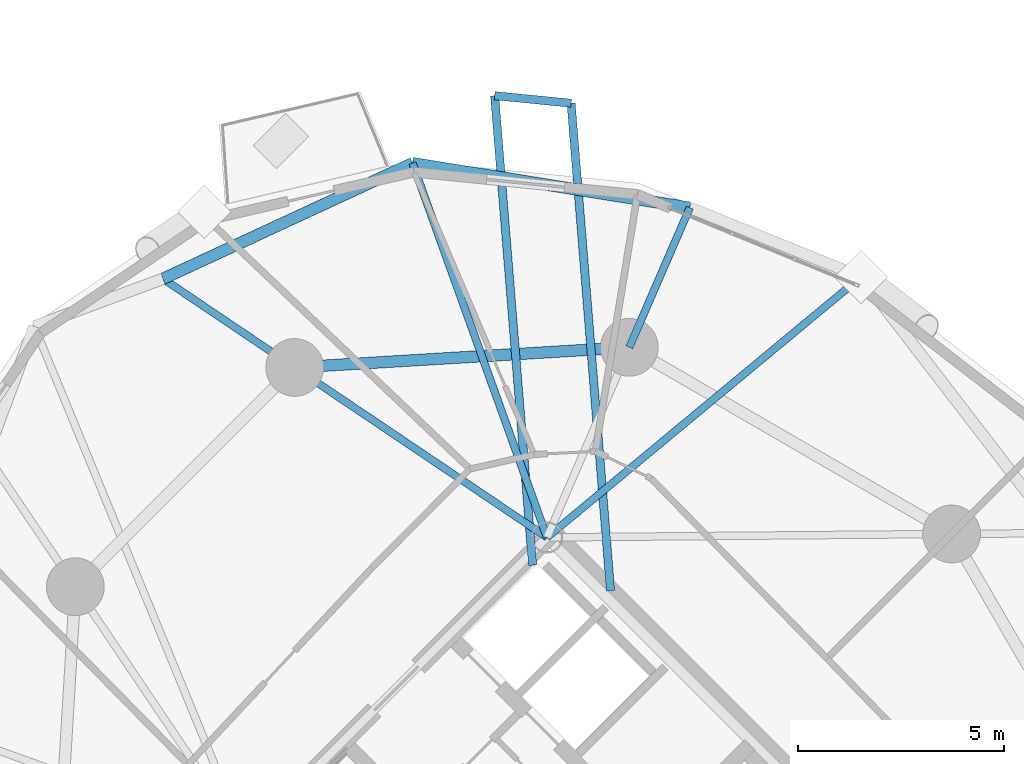
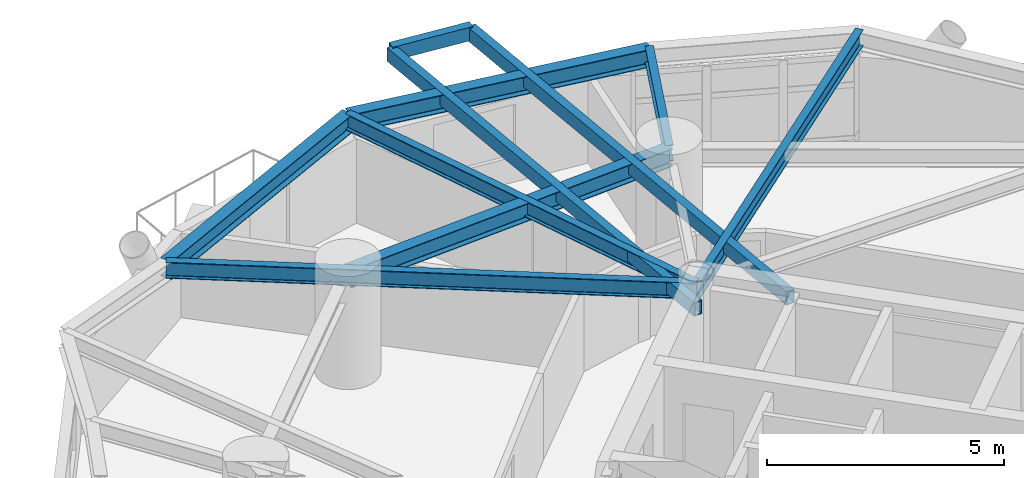
# One storey, part 6 of 19: 10 beams.
"""IFC4 building model written with IfcOpenShell, lengths in metres."""

from ifc_helpers import new_model, si_unit, direction, frame, origin, origin_2d, place, context, subcontext, project, spatial, hollow_rectangle, i_section, extrude, material, material_profile, profile_set, type_object, element, save


model = new_model("IFC4")

# Units and contexts
model_context = context("Model", 3, precision=1e-05, world=origin(), true_north=direction((0.0, 1.0)))
body_context = subcontext(model_context, "Body", "Model", "MODEL_VIEW")
ifc_project = project(units=[si_unit("LENGTHUNIT", "METRE"), si_unit("AREAUNIT", "SQUARE_METRE"), si_unit("VOLUMEUNIT", "CUBIC_METRE"), si_unit("PLANEANGLEUNIT", "RADIAN"), si_unit("MASSUNIT", "GRAM", prefix="KILO")], contexts=[model_context])

# Site, building, storey
site_placement = place(None, origin())
site = spatial("IfcSite", under=ifc_project, at=site_placement, CompositionType="ELEMENT")
building_placement = place(site_placement, origin())
building = spatial("IfcBuilding", under=site, at=building_placement, Name="Cununo Teusaquillo Station Towers", CompositionType="ELEMENT")
storey_placement = place(building_placement, frame((0.0, 0.0, 84.699951171875)))
storey = spatial("IfcBuildingStorey", under=building, at=storey_placement, Name="L26", CompositionType="ELEMENT", Elevation=84.699951171875)

# Beams
ifc_material_1 = material(Name="Steel EN 10025-2 S355J2", Category="steel")
ifc_material_profile_1 = material_profile(ifc_material_1, hollow_rectangle(XDim=0.199951171875, YDim=0.35009765625, WallThickness=0.013916015625, at=origin_2d()), Name="RHS 350x200x14")
ifc_profile_set_1 = profile_set([ifc_material_profile_1], Name="Steel EN 10025-2 S355J2")
beam_type_1 = type_object("IfcBeamType", Name="BM-BAL-CANT", PredefinedType="BEAM", material=ifc_profile_set_1)
beam_1_placement = place(storey_placement, frame((57.835205078125, 31.73095703125, 2.4951171875), z_axis=(-0.080635166538, 0.996743683159, 0.0), x_axis=(-0.996743683159, -0.080635166538, 0.0)))
element("IfcBeam", 1, at=beam_1_placement, inside=storey, type_object=beam_type_1, Name="L26 Tower B Balcony Cantilever Bracket 1A", PredefinedType="BEAM", context=body_context, shape_type="SweptSolid", body=[
    extrude(hollow_rectangle(XDim=0.199951171875, YDim=0.35009765625, WallThickness=0.013916015625, at=origin_2d()), origin(), (0.0, 0.0, 1.0), 11.862548828125),
])
beam_2_placement = place(storey_placement, frame((55.945068359375, 32.349609375, 2.4951171875), z_axis=(-0.080615645749, 0.996745262171, 0.0), x_axis=(-0.996745262171, -0.080615645749, 0.0)))
element("IfcBeam", 2, at=beam_2_placement, inside=storey, type_object=beam_type_1, Name="L26 Tower B Balcony Cantilever Bracket 1B", PredefinedType="BEAM", context=body_context, shape_type="SweptSolid", body=[
    extrude(hollow_rectangle(XDim=0.199951171875, YDim=0.35009765625, WallThickness=0.013916015625, at=origin_2d()), origin(), (0.0, 0.0, 1.0), 11.42626953125),
])
ifc_material_2 = material(Name="Steel ASTM A572 Grade 50", Category="steel")
ifc_material_profile_2 = material_profile(ifc_material_2, i_section(OverallWidth=0.180908203125, OverallDepth=0.4169921875, WebThickness=0.010986328125, FlangeThickness=0.018310546875, FilletRadius=0.012939453125, at=origin_2d()), Name="W16X57")
ifc_profile_set_2 = profile_set([ifc_material_profile_2], Name="Steel ASTM A572 Grade 50")
beam_type_2 = type_object("IfcBeamType", Name="BM-JOIST-1", PredefinedType="JOIST", material=ifc_profile_set_2)
beam_3_placement = place(storey_placement, frame((56.29443359375, 33.024169921875, 2.461669921875), z_axis=(0.769727799615, 0.638372238196, 0.0), x_axis=(-0.638372238196, 0.769727799615, 0.0)))
element("IfcBeam", 3, at=beam_3_placement, inside=storey, type_object=beam_type_2, Name="L26 Tower B Radial Spandrel Joist V01", PredefinedType="JOIST", context=body_context, shape_type="SweptSolid", body=[
    extrude(i_section(OverallWidth=0.180908203125, OverallDepth=0.4169921875, WebThickness=0.010986328125, FlangeThickness=0.018310546875, FilletRadius=0.012939453125, at=origin_2d()), origin(), (0.0, 0.0, 1.0), 9.895263671875),
])
beam_4_placement = place(storey_placement, frame((56.29443359375, 33.024169921875, 2.461669921875), z_axis=(-0.338176312038, 0.941082771055, 0.0), x_axis=(-0.941082771055, -0.338176312038, 0.0)))
element("IfcBeam", 4, at=beam_4_placement, inside=storey, type_object=beam_type_2, Name="L26 Tower B Radial Spandrel Joist V03", PredefinedType="JOIST", context=body_context, shape_type="SweptSolid", body=[
    extrude(i_section(OverallWidth=0.180908203125, OverallDepth=0.4169921875, WebThickness=0.010986328125, FlangeThickness=0.018310546875, FilletRadius=0.012939453125, at=origin_2d()), origin(), (0.0, 0.0, 1.0), 9.646484375),
])
ifc_material_3 = material(Name="Steel ASTM A572 Grade 50", Category="steel")
ifc_material_profile_3 = material_profile(ifc_material_3, i_section(OverallWidth=0.180908203125, OverallDepth=0.4169921875, WebThickness=0.010986328125, FlangeThickness=0.018310546875, FilletRadius=0.012939453125, at=origin_2d()), Name="W16X57")
ifc_profile_set_3 = profile_set([ifc_material_profile_3], Name="Steel ASTM A572 Grade 50")
beam_type_3 = type_object("IfcBeamType", Name="BM-RAD-G2", PredefinedType="BEAM", material=ifc_profile_set_3)
beam_5_placement = place(storey_placement, frame((58.291015625, 37.63525390625, 2.461669921875), z_axis=(0.397421761279, 0.917636062751, 0.0), x_axis=(-0.917636062751, 0.397421761279, 0.0)))
element("IfcBeam", 5, at=beam_5_placement, inside=storey, type_object=beam_type_3, Name="L26 Tower B Perimeter Overhang Girder 02B", PredefinedType="BEAM", context=body_context, shape_type="SweptSolid", body=[
    extrude(i_section(OverallWidth=0.180908203125, OverallDepth=0.4169921875, WebThickness=0.010986328125, FlangeThickness=0.018310546875, FilletRadius=0.012939453125, at=origin_2d()), origin(), (0.0, 0.0, 1.0), 3.690185546875),
])
beam_6_placement = place(storey_placement, frame((56.29443359375, 33.024169921875, 2.461669921875), z_axis=(-0.82945583878, 0.558572297481, 0.0), x_axis=(-0.558572297481, -0.82945583878, 0.0)))
element("IfcBeam", 6, at=beam_6_placement, inside=storey, type_object=beam_type_3, Name="L26 Tower B Continuous Overhanging Radial Girder 03", PredefinedType="BEAM", context=body_context, shape_type="SweptSolid", body=[
    extrude(i_section(OverallWidth=0.180908203125, OverallDepth=0.4169921875, WebThickness=0.010986328125, FlangeThickness=0.018310546875, FilletRadius=0.012939453125, at=origin_2d()), origin(), (0.0, 0.0, 1.0), 11.22998046875),
])
ifc_material_4 = material(Name="Steel ASTM A572 Grade 50", Category="steel")
ifc_material_profile_4 = material_profile(ifc_material_4, i_section(OverallWidth=0.280029296875, OverallDepth=0.462890625, WebThickness=0.0107421875, FlangeThickness=0.017333984375, FilletRadius=0.013916015625, at=origin_2d()), Name="W18X76")
ifc_profile_set_4 = profile_set([ifc_material_profile_4], Name="Steel ASTM A572 Grade 50")
beam_type_4 = type_object("IfcBeamType", Name="BM-RING-Z2", PredefinedType="SPANDREL", material=ifc_profile_set_4)
beam_7_placement = place(storey_placement, frame((58.291015625, 37.63525390625, 2.4384765625), z_axis=(-0.998190567048, -0.06012979176, 0.0), x_axis=(0.06012979176, -0.998190567048, 0.0)))
element("IfcBeam", 7, at=beam_7_placement, inside=storey, type_object=beam_type_4, Name="L26 Tower B Structural Column Ring Girder 02", PredefinedType="SPANDREL", context=body_context, shape_type="SweptSolid", body=[
    extrude(i_section(OverallWidth=0.280029296875, OverallDepth=0.462890625, WebThickness=0.0107421875, FlangeThickness=0.017333984375, FilletRadius=0.013916015625, at=origin_2d()), origin(), (0.0, 0.0, 1.0), 8.132568359375),
])
beam_8_placement = place(storey_placement, frame((59.757568359375, 41.021484375, 2.4384765625), z_axis=(-0.987331474246, 0.158671232312, 0.0), x_axis=(-0.158671232312, -0.987331474246, 0.0)))
element("IfcBeam", 8, at=beam_8_placement, inside=storey, type_object=beam_type_4, Name="L26 Tower B Spandrel Ring Beam 03", PredefinedType="SPANDREL", context=body_context, shape_type="SweptSolid", body=[
    extrude(i_section(OverallWidth=0.280029296875, OverallDepth=0.462890625, WebThickness=0.0107421875, FlangeThickness=0.017333984375, FilletRadius=0.013916015625, at=origin_2d()), origin(), (0.0, 0.0, 1.0), 6.8115234375),
])
beam_9_placement = place(storey_placement, frame((53.0322265625, 42.102294921875, 2.4384765625), z_axis=(-0.907275870354, -0.420535961689, 0.0), x_axis=(0.420535961689, -0.907275870354, 0.0)))
element("IfcBeam", 9, at=beam_9_placement, inside=storey, type_object=beam_type_4, Name="L26 Tower B Spandrel Ring Beam 04", PredefinedType="SPANDREL", context=body_context, shape_type="SweptSolid", body=[
    extrude(i_section(OverallWidth=0.280029296875, OverallDepth=0.462890625, WebThickness=0.0107421875, FlangeThickness=0.017333984375, FilletRadius=0.013916015625, at=origin_2d()), origin(), (0.0, 0.0, 1.0), 6.671142578125),
])
ifc_material_5 = material(Name="Steel EN 10025-2 S355J2", Category="steel")
ifc_material_profile_5 = material_profile(ifc_material_5, hollow_rectangle(XDim=0.199951171875, YDim=0.35009765625, WallThickness=0.013916015625, at=origin_2d()), Name="RHS 350x200x14")
ifc_profile_set_5 = profile_set([ifc_material_profile_5], Name="Steel EN 10025-2 S355J2")
beam_type_5 = type_object("IfcBeamType", Name="BM-STAIR-TRIM", PredefinedType="BEAM", material=ifc_profile_set_5)
beam_10_placement = place(storey_placement, frame((56.878662109375, 43.554931640625, 2.525146484375), z_axis=(-0.995123704518, 0.098634743912, 0.0), x_axis=(-0.098634743912, -0.995123704518, 0.0)))
element("IfcBeam", 10, at=beam_10_placement, inside=storey, type_object=beam_type_5, Name="L26 Tower B Balcony Edge Trimmer Beam 1", PredefinedType="BEAM", context=body_context, shape_type="SweptSolid", body=[
    extrude(hollow_rectangle(XDim=0.199951171875, YDim=0.35009765625, WallThickness=0.013916015625, at=origin_2d()), origin(), (0.0, 0.0, 1.0), 1.86376953125),
])

save(model, "model.ifc")
